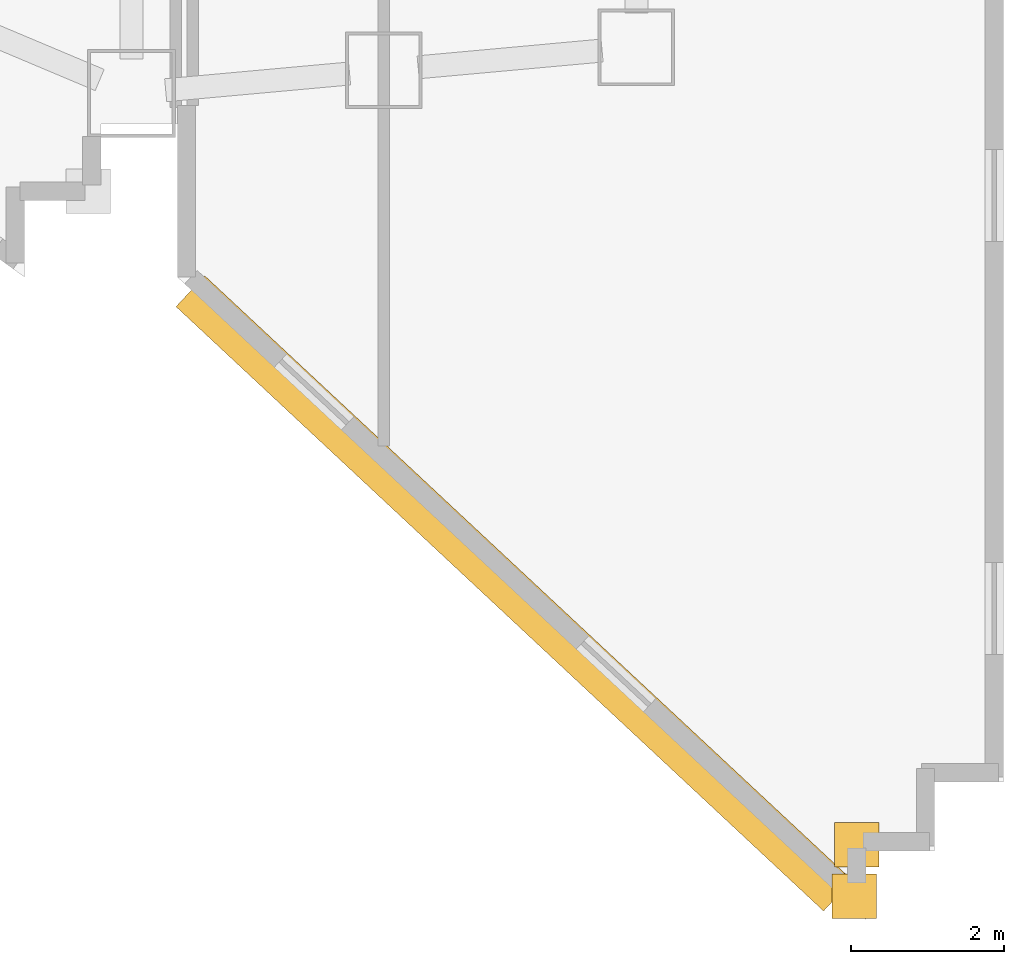
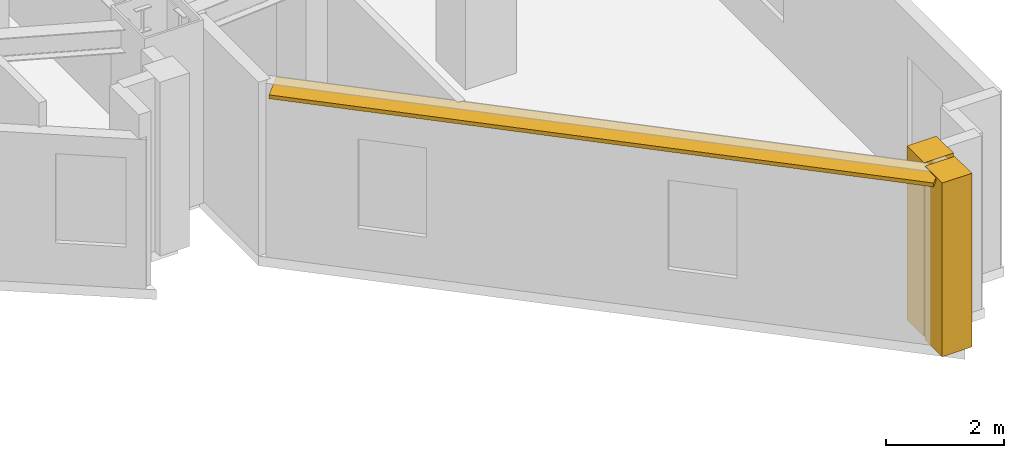
# One storey, part 16 of 16: 2 coverings, 1 shading device.
"""IFC4 building model written with IfcOpenShell, lengths in metres."""

from ifc_helpers import new_model, si_unit, direction, frame, origin, origin_2d, place, context, subcontext, project, spatial, rectangle, extrude, material, layer, layer_set, type_object, element, save


model = new_model("IFC4")

# Units and contexts
model_context = context("Model", 3, precision=1e-05, world=origin(), true_north=direction((0.0, 1.0)))
body_context = subcontext(model_context, "Body", "Model", "MODEL_VIEW")
ifc_project = project(units=[si_unit("LENGTHUNIT", "METRE"), si_unit("AREAUNIT", "SQUARE_METRE"), si_unit("VOLUMEUNIT", "CUBIC_METRE"), si_unit("PLANEANGLEUNIT", "RADIAN"), si_unit("MASSUNIT", "GRAM", prefix="KILO")], contexts=[model_context])

# Site, building, storey
site_placement = place(None, origin())
site = spatial("IfcSite", under=ifc_project, at=site_placement, CompositionType="ELEMENT")
building_placement = place(site_placement, origin())
building = spatial("IfcBuilding", under=site, at=building_placement, Name="Haolan Belvedere Tower", CompositionType="ELEMENT")
storey_placement = place(building_placement, frame((0.0, 0.0, 62.800048828125)))
storey = spatial("IfcBuildingStorey", under=building, at=storey_placement, Name="L15", CompositionType="ELEMENT", Elevation=62.800048828125)

# Coverings
ifc_material_1 = material(Name="Pale champagne-silver anodised aluminium rainscreen cladding", Category="aluminium")
ifc_layer_1 = layer(ifc_material_1, 0.034912109375, Name="Pale champagne-silver anodised aluminium rainscreen cladding")
ifc_layer_set_1 = layer_set([ifc_layer_1], Name="Pale champagne-silver anodised aluminium rainscreen cladding")
covering_type = type_object("IfcCoveringType", Name="COV-CLAD-35", PredefinedType="CLADDING", material=ifc_layer_set_1)
for number, where, z_axis, x_axis, name in (
    (1, (73.64892578125, 6.30517578125, 0.0), (0.0, 0.0, 1.0), (1.0, 0.0, 0.0), "L15 pale-metal serrated corner cladding trim 5"),
    (2, (73.679931640625, 6.9775390625, 0.0), (0.0, 0.0, 1.0), (1.0, 0.0, 0.0), "L15 pale-metal serrated corner cladding trim 6"),
):
    element("IfcCovering", number, at=place(storey_placement, frame(where, z_axis=z_axis, x_axis=x_axis)), inside=storey, type_object=covering_type, Name=name, PredefinedType="CLADDING", context=body_context, shape_type="SweptSolid", body=[
        extrude(rectangle(XDim=0.580078125, YDim=0.580078125, at=origin_2d()), origin(), (0.0, 0.0, 1.0), 3.60009765625),
    ])

# Shading device
ifc_material_2 = material(Name="Anodised champagne-silver aluminium 6063-T6", Category="aluminium")
ifc_layer_2 = layer(ifc_material_2, 0.080078125, Name="Anodised champagne-silver aluminium 6063-T6")
ifc_layer_set_2 = layer_set([ifc_layer_2], Name="Anodised champagne-silver aluminium 6063-T6")
shading_device_type = type_object("IfcShadingDeviceType", Name="SHD-SUN-550", PredefinedType="USERDEFINED", material=ifc_layer_set_2)
shading_device_placement = place(storey_placement, frame((69.20263671875, 10.263427734375, 3.5), z_axis=(0.0, 0.0, 1.0), x_axis=(0.731056054087, -0.682317408383, 0.0)))
element("IfcShadingDevice", 3, at=shading_device_placement, inside=storey, type_object=shading_device_type, Name="L15 pale-metal horizontal SUNSHADE band 21.1", ObjectType="SUNSHADE", PredefinedType="USERDEFINED", context=body_context, shape_type="SweptSolid", body=[
    extrude(rectangle(XDim=11.57763671875, YDim=0.550048828125, at=origin_2d()), origin(), (0.0, 0.0, 1.0), 0.080078125),
])

save(model, "model.ifc")
